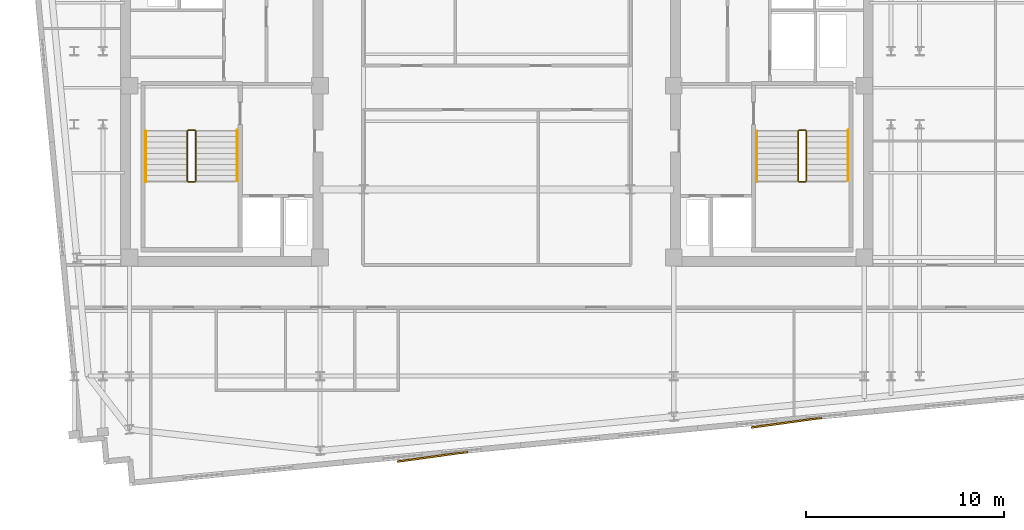
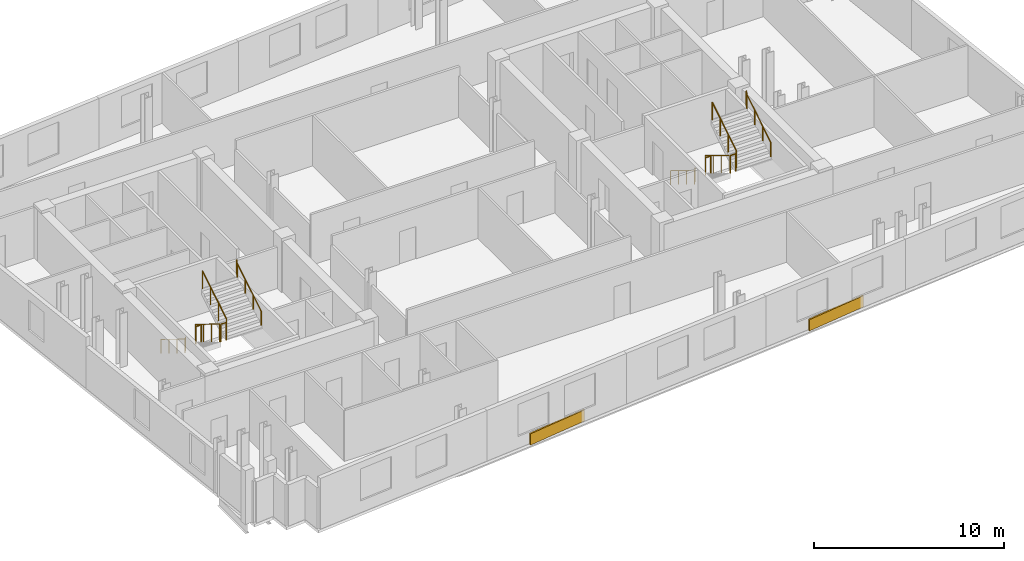
# One storey, part 7 of 8: 12 railings, 2 coverings.
"""IFC4 building model written with IfcOpenShell, lengths in metres."""

import ifcopenshell
import ifcopenshell.guid

model = None  # the IFC model being written
_history = None  # IfcOwnerHistory: only IFC2X3 demands one
_inside = {}  # id of a spatial element -> (the spatial element, [elements in it])
_under = {}  # id of a project, library or spatial element -> (it, [spatial elements below it])
_declared = {}  # id of a project -> (the project, [libraries it declares])
_typed = {}  # id of a type object -> (the type object, [elements of that type])
_made_of = {}  # id of a material, layer set ... -> (it, [elements and type objects made of it])


def new_model(schema):
    """Start an empty IFC model of exactly this schema.

    Asked for "IFC4X3", IfcOpenShell would pick the latest addendum, in which some entities
    have other attributes; the version numbers below select the first issue.
    IFC2X3 requires an IfcOwnerHistory on every rooted entity: one is made here for all.
    """
    global model, _history
    if schema == "IFC4X3":
        model = ifcopenshell.file(schema_version=(4, 3, 0, 0))
    else:
        model = ifcopenshell.file(schema=schema)
    _inside.clear()
    _under.clear()
    _declared.clear()
    _typed.clear()
    _made_of.clear()
    _history = None
    if model.schema == "IFC2X3":
        org = make("IfcOrganization", Name="unknown")
        user = make(
            "IfcPersonAndOrganization",
            ThePerson=make("IfcPerson", FamilyName="unknown"),
            TheOrganization=org,
        )
        app = make(
            "IfcApplication",
            ApplicationDeveloper=org,
            Version="unknown",
            ApplicationFullName="unknown",
            ApplicationIdentifier="unknown",
        )
        _history = make(
            "IfcOwnerHistory",
            OwningUser=user,
            OwningApplication=app,
            ChangeAction="ADDED",
            CreationDate=0,
        )
    return model


def make(cls, **values):
    """One entity of the class cls with the attributes given. An attribute that is None is left unset."""
    return model.create_entity(
        cls, **{name: value for name, value in values.items() if value is not None}
    )


def rooted(cls, **values):
    """An entity with a GlobalId (a new one), such as an element, a storey or a relation."""
    return make(cls, GlobalId=ifcopenshell.guid.new(), OwnerHistory=_history, **values)


def si_unit(unit_type, name, prefix=None):
    """IfcSIUnit, for example si_unit("LENGTHUNIT", "METRE", prefix="MILLI")."""
    return make("IfcSIUnit", UnitType=unit_type, Prefix=prefix, Name=name)


def assignment(units):
    """IfcUnitAssignment: the units of a project."""
    return None if units is None else make("IfcUnitAssignment", Units=units)


def point(xyz):
    """IfcCartesianPoint."""
    return None if xyz is None else make("IfcCartesianPoint", Coordinates=xyz)


def direction(xyz):
    """IfcDirection."""
    return None if xyz is None else make("IfcDirection", DirectionRatios=xyz)


def frame(location, z_axis=None, x_axis=None):
    """IfcAxis2Placement3D, a coordinate frame: its origin and axes. An axis left out is left unset."""
    return make(
        "IfcAxis2Placement3D",
        Location=point(location),
        Axis=direction(z_axis),
        RefDirection=direction(x_axis),
    )


def frame_2d(location, x_axis=None):
    """IfcAxis2Placement2D, a coordinate frame in the plane: its origin and x axis."""
    return make(
        "IfcAxis2Placement2D", Location=point(location), RefDirection=direction(x_axis)
    )


def origin():
    """The frame at (0, 0, 0) with its axes left unset."""
    return frame((0.0, 0.0, 0.0))


def origin_2d():
    """The frame at (0, 0) in the plane with its x axis left unset."""
    return frame_2d((0.0, 0.0))


def place(relative_to, where):
    """IfcLocalPlacement: puts the frame where relative to a parent placement (None: the world)."""
    return make(
        "IfcLocalPlacement", PlacementRelTo=relative_to, RelativePlacement=where
    )


def context(
    kind, dimensions, precision=None, world=None, true_north=None, identifier=None
):
    """IfcGeometricRepresentationContext, for example the 3D "Model" context."""
    return make(
        "IfcGeometricRepresentationContext",
        ContextIdentifier=identifier,
        ContextType=kind,
        CoordinateSpaceDimension=dimensions,
        Precision=precision,
        WorldCoordinateSystem=world,
        TrueNorth=true_north,
    )


def subcontext(parent, identifier, kind, view, scale=None):
    """IfcGeometricRepresentationSubContext, for example "Body" below "Model"."""
    return make(
        "IfcGeometricRepresentationSubContext",
        ContextIdentifier=identifier,
        ContextType=kind,
        ParentContext=parent,
        TargetScale=scale,
        TargetView=view,
    )


def project(units=None, contexts=None):
    """IfcProject with its units and contexts."""
    return rooted(
        "IfcProject",
        Name="project",
        RepresentationContexts=contexts,
        UnitsInContext=assignment(units),
    )


def spatial(cls, under=None, at=None, **own):
    """A site, building, storey or space (cls), placed at a placement, below another one or the project."""
    s = rooted(cls, ObjectPlacement=at, **own)
    if under is not None:
        _under.setdefault(under.id(), (under, []))[1].append(s)
    return s


def profile(cls, at=None, kind="AREA", **sizes):
    """A parametric profile (cls). Its sizes go by their IFC names, for example OverallWidth=200.0."""
    return make(cls, ProfileType=kind, Position=at, **sizes)


def rectangle(**sizes):
    """IfcRectangleProfileDef."""
    return profile("IfcRectangleProfileDef", **sizes)


def circle(**sizes):
    """IfcCircleProfileDef."""
    return profile("IfcCircleProfileDef", **sizes)


def extrude(swept, where, along, depth):
    """IfcExtrudedAreaSolid: the profile swept, set in the frame where, extruded along a direction by depth."""
    return make(
        "IfcExtrudedAreaSolid",
        SweptArea=swept,
        Position=where,
        ExtrudedDirection=direction(along),
        Depth=depth,
    )


def shape(context_of_items, identifier, shape_type, items):
    """IfcShapeRepresentation: the items that make up one representation, for example the "Body"."""
    return make(
        "IfcShapeRepresentation",
        ContextOfItems=context_of_items,
        RepresentationIdentifier=identifier,
        RepresentationType=shape_type,
        Items=items,
    )


def material(Name=None, Category=None):
    """IfcMaterial."""
    return make("IfcMaterial", Name=Name, Category=Category)


def layer(
    of_material, thickness, ventilated=None, Name=None, Category=None, Priority=None
):
    """IfcMaterialLayer: one layer of a wall or slab, of a material (None: an air gap)."""
    return make(
        "IfcMaterialLayer",
        Material=of_material,
        LayerThickness=thickness,
        IsVentilated=ventilated,
        Name=Name,
        Category=Category,
        Priority=Priority,
    )


def layer_set(layers, Name=None):
    """IfcMaterialLayerSet."""
    return make("IfcMaterialLayerSet", MaterialLayers=layers, LayerSetName=Name)


def made_of(thing, what):
    """Note that an element or type object is made of a material, layer set ...; save() writes the relation."""
    if what is not None:
        _made_of.setdefault(what.id(), (what, []))[1].append(thing)
    return thing


def type_object(cls, material=None, **own):
    """A type object (cls), such as IfcWallType, which elements share."""
    return made_of(rooted(cls, **own), material)


def element(
    cls,
    number,
    at=None,
    inside=None,
    cuts=None,
    type_object=None,
    material=None,
    context=None,
    identifier="Body",
    shape_type=None,
    held_by="IfcProductDefinitionShape",
    body=None,
    shapes=None,
    **own,
):
    """One element of the class cls, such as IfcWall. Its Tag is "e" and its number.

    at: its placement. inside: the storey or other place that contains it. cuts: it is an
    opening in that element (IfcRelVoidsElement). A single representation is given by context,
    identifier, shape_type and body (its items); several are given by shapes. held_by: the class
    of the entity that holds the representations. save() writes the other relations.
    """
    e = rooted(cls, Tag="e%d" % number, ObjectPlacement=at, **own)
    if body is not None:
        shapes = [shape(context, identifier, shape_type, body)]
    if shapes is not None:
        e.Representation = make(held_by, Representations=shapes)
    if inside is not None:
        _inside.setdefault(inside.id(), (inside, []))[1].append(e)
    if cuts is not None:
        rooted(
            "IfcRelVoidsElement", RelatingBuildingElement=cuts, RelatedOpeningElement=e
        )
    if type_object is not None:
        _typed.setdefault(type_object.id(), (type_object, []))[1].append(e)
    return made_of(e, material)


def aggregate(whole, parts):
    """IfcRelAggregates: a whole, such as a stair, and the parts it consists of."""
    return rooted("IfcRelAggregates", RelatingObject=whole, RelatedObjects=parts)


def save(model, path):
    """Write the relations noted so far, then the file.

    IfcRelAggregates (storeys below a building ...), IfcRelContainedInSpatialStructure (elements
    in a storey), IfcRelDefinesByType, IfcRelAssociatesMaterial and IfcRelDeclares: one each for
    every whole, place, type object, material and project.
    """
    for whole, parts in _under.values():
        aggregate(whole, parts)
    for where, things in _inside.values():
        rooted(
            "IfcRelContainedInSpatialStructure",
            RelatedElements=things,
            RelatingStructure=where,
        )
    for kind, things in _typed.values():
        rooted("IfcRelDefinesByType", RelatedObjects=things, RelatingType=kind)
    for what, things in _made_of.values():
        rooted("IfcRelAssociatesMaterial", RelatedObjects=things, RelatingMaterial=what)
    for by, libraries in _declared.values():
        rooted("IfcRelDeclares", RelatingContext=by, RelatedDefinitions=libraries)
    model.write(path)


model = new_model("IFC4")

# Units and contexts
model_context = context("Model", 3, precision=1e-05, world=origin(), true_north=direction((0.0, 1.0)))
body_context = subcontext(model_context, "Body", "Model", "MODEL_VIEW")
ifc_project = project(units=[si_unit("LENGTHUNIT", "METRE"), si_unit("AREAUNIT", "SQUARE_METRE"), si_unit("VOLUMEUNIT", "CUBIC_METRE"), si_unit("PLANEANGLEUNIT", "RADIAN"), si_unit("MASSUNIT", "GRAM", prefix="KILO")], contexts=[model_context])

# Site, building, storey
site_placement = place(None, origin())
site = spatial("IfcSite", under=ifc_project, at=site_placement, CompositionType="ELEMENT")
building_placement = place(site_placement, origin())
building = spatial("IfcBuilding", under=site, at=building_placement, Name="Velakula Bourse", CompositionType="ELEMENT")
storey_placement = place(building_placement, frame((0.0, 0.0, 255.14990234375)))
storey = spatial("IfcBuildingStorey", under=building, at=storey_placement, Name="L69", CompositionType="ELEMENT", Elevation=255.14990234375)

# Coverings
ifc_material_1 = material(Name="Buff kilned clay facing brick masonry", Category="masonry")
ifc_layer = layer(ifc_material_1, 0.074951171875, Name="Buff kilned clay facing brick masonry", Category="masonry")
ifc_layer_set = layer_set([ifc_layer], Name="Buff kilned clay facing brick masonry")
covering_type = type_object("IfcCoveringType", Name="COV-BRK-SPN-75", PredefinedType="CLADDING", material=ifc_layer_set)
for number, where, z_axis, x_axis, name in (
    (1, (-3.26220703125, -18.68115234375, 0.0), (0.0, 0.0, 1.0), (0.990629029058, 0.136580111242, 0.0), "L69 Folded Brick Facade Cladding Panel S-B2"),
    (2, (14.655029296875, -16.955810546875, 0.0), (0.0, 0.0, 1.0), (0.990629029058, 0.136580111242, 0.0), "L69 Folded Brick Facade Cladding Panel S-B4"),
):
    element("IfcCovering", number, at=place(storey_placement, frame(where, z_axis=z_axis, x_axis=x_axis)), inside=storey, type_object=covering_type, Name=name, PredefinedType="CLADDING", context=body_context, shape_type="SweptSolid", body=[
        extrude(rectangle(XDim=3.60009765625, YDim=0.090087890625, at=origin_2d()), origin(), (0.0, 0.0, 1.0), 0.719970703125),
    ])

# Railings
ifc_material_2 = material(Name="Brushed grade 316 stainless steel", Category="steel")
railing_type_1 = type_object("IfcRailingType", Name="RLG-STAIR-GUARD-1150", PredefinedType="BALUSTRADE", material=ifc_material_2)
railing_1_placement = place(storey_placement, frame((-15.672119140625, -2.199951171875, 0.172607421875)))
element("IfcRailing", 3, at=railing_1_placement, inside=storey, type_object=railing_type_1, Name="L69 ST-W1 stair guard 1", PredefinedType="BALUSTRADE", context=body_context, shape_type="SweptSolid", body=[
    extrude(circle(Radius=0.02490234375, at=origin_2d()), frame((0.0, 0.0, 1.125), z_axis=(0.0, -0.851400495292, 0.524516154772), x_axis=(1.0, 0.0, 0.0)), (0.0, 0.0, 1.0), 2.9599609375),
    extrude(circle(Radius=0.02099609375, at=origin_2d()), origin(), (0.0, 0.0, 1.0), 1.099853515625),
    extrude(circle(Radius=0.02099609375, at=origin_2d()), frame((0.0, -0.840087890625, 0.517578125)), (0.0, 0.0, 1.0), 1.099853515625),
    extrude(circle(Radius=0.02099609375, at=origin_2d()), frame((0.0, -1.679931640625, 1.034912109375)), (0.0, 0.0, 1.0), 1.099853515625),
    extrude(circle(Radius=0.02099609375, at=origin_2d()), frame((0.0, -2.52001953125, 1.552490234375)), (0.0, 0.0, 1.0), 1.099853515625),
])
railing_2_placement = place(storey_placement, frame((-15.6220703125, -4.77001953125, 1.72509765625)))
element("IfcRailing", 4, at=railing_2_placement, inside=storey, type_object=railing_type_1, Name="L69 ST-W1 stair guard 2", PredefinedType="BALUSTRADE", context=body_context, shape_type="SweptSolid", body=[
    extrude(circle(Radius=0.02490234375, at=origin_2d()), frame((0.0, 0.0, 1.125), z_axis=(1.0, 0.0, 0.0), x_axis=(0.0, 1.0, 0.0)), (0.0, 0.0, 1.0), 0.323974609375),
    extrude(circle(Radius=0.02099609375, at=origin_2d()), origin(), (0.0, 0.0, 1.0), 1.099853515625),
    extrude(circle(Radius=0.02099609375, at=origin_2d()), frame((0.323974609375, 0.0, 0.0)), (0.0, 0.0, 1.0), 1.099853515625),
])
railing_3_placement = place(storey_placement, frame((-15.248046875, -4.719970703125, 1.897705078125)))
element("IfcRailing", 5, at=railing_3_placement, inside=storey, type_object=railing_type_1, Name="L69 ST-W1 stair guard 3", PredefinedType="BALUSTRADE", context=body_context, shape_type="SweptSolid", body=[
    extrude(circle(Radius=0.02490234375, at=origin_2d()), frame((0.0, 0.0, 1.125), z_axis=(0.0, 0.851400495292, 0.524516154772), x_axis=(-1.0, 0.0, 0.0)), (0.0, 0.0, 1.0), 2.9599609375),
    extrude(circle(Radius=0.02099609375, at=origin_2d()), origin(), (0.0, 0.0, 1.0), 1.099853515625),
    extrude(circle(Radius=0.02099609375, at=origin_2d()), frame((0.0, 0.840087890625, 0.517578125)), (0.0, 0.0, 1.0), 1.099853515625),
    extrude(circle(Radius=0.02099609375, at=origin_2d()), frame((0.0, 1.679931640625, 1.034912109375)), (0.0, 0.0, 1.0), 1.099853515625),
    extrude(circle(Radius=0.02099609375, at=origin_2d()), frame((0.0, 2.52001953125, 1.552490234375)), (0.0, 0.0, 1.0), 1.099853515625),
])
railing_4_placement = place(storey_placement, frame((-15.6220703125, -2.14990234375, 0.0)))
element("IfcRailing", 6, at=railing_4_placement, inside=storey, type_object=railing_type_1, Name="L69 ST-W1 stair guard 4", PredefinedType="BALUSTRADE", context=body_context, shape_type="SweptSolid", body=[
    extrude(circle(Radius=0.02490234375, at=origin_2d()), frame((0.0, 0.0, 1.125), z_axis=(1.0, 0.0, 0.0), x_axis=(0.0, 1.0, 0.0)), (0.0, 0.0, 1.0), 0.323974609375),
    extrude(circle(Radius=0.02099609375, at=origin_2d()), origin(), (0.0, 0.0, 1.0), 1.099853515625),
    extrude(circle(Radius=0.02099609375, at=origin_2d()), frame((0.323974609375, 0.0, 0.0)), (0.0, 0.0, 1.0), 1.099853515625),
])
railing_5_placement = place(storey_placement, frame((15.248046875, -2.199951171875, 0.172607421875)))
element("IfcRailing", 7, at=railing_5_placement, inside=storey, type_object=railing_type_1, Name="L69 ST-E1 stair guard 1", PredefinedType="BALUSTRADE", context=body_context, shape_type="SweptSolid", body=[
    extrude(circle(Radius=0.02490234375, at=origin_2d()), frame((0.0, 0.0, 1.125), z_axis=(0.0, -0.851400495292, 0.524516154772), x_axis=(1.0, 0.0, 0.0)), (0.0, 0.0, 1.0), 2.9599609375),
    extrude(circle(Radius=0.02099609375, at=origin_2d()), origin(), (0.0, 0.0, 1.0), 1.099853515625),
    extrude(circle(Radius=0.02099609375, at=origin_2d()), frame((0.0, -0.840087890625, 0.517578125)), (0.0, 0.0, 1.0), 1.099853515625),
    extrude(circle(Radius=0.02099609375, at=origin_2d()), frame((0.0, -1.679931640625, 1.034912109375)), (0.0, 0.0, 1.0), 1.099853515625),
    extrude(circle(Radius=0.02099609375, at=origin_2d()), frame((0.0, -2.52001953125, 1.552490234375)), (0.0, 0.0, 1.0), 1.099853515625),
])
railing_6_placement = place(storey_placement, frame((15.298095703125, -4.77001953125, 1.72509765625)))
element("IfcRailing", 8, at=railing_6_placement, inside=storey, type_object=railing_type_1, Name="L69 ST-E1 stair guard 2", PredefinedType="BALUSTRADE", context=body_context, shape_type="SweptSolid", body=[
    extrude(circle(Radius=0.02490234375, at=origin_2d()), frame((0.0, 0.0, 1.125), z_axis=(1.0, 0.0, 0.0), x_axis=(0.0, 1.0, 0.0)), (0.0, 0.0, 1.0), 0.323974609375),
    extrude(circle(Radius=0.02099609375, at=origin_2d()), origin(), (0.0, 0.0, 1.0), 1.099853515625),
    extrude(circle(Radius=0.02099609375, at=origin_2d()), frame((0.323974609375, 0.0, 0.0)), (0.0, 0.0, 1.0), 1.099853515625),
])
railing_7_placement = place(storey_placement, frame((15.672119140625, -4.719970703125, 1.897705078125)))
element("IfcRailing", 9, at=railing_7_placement, inside=storey, type_object=railing_type_1, Name="L69 ST-E1 stair guard 3", PredefinedType="BALUSTRADE", context=body_context, shape_type="SweptSolid", body=[
    extrude(circle(Radius=0.02490234375, at=origin_2d()), frame((0.0, 0.0, 1.125), z_axis=(0.0, 0.851400495292, 0.524516154772), x_axis=(-1.0, 0.0, 0.0)), (0.0, 0.0, 1.0), 2.9599609375),
    extrude(circle(Radius=0.02099609375, at=origin_2d()), origin(), (0.0, 0.0, 1.0), 1.099853515625),
    extrude(circle(Radius=0.02099609375, at=origin_2d()), frame((0.0, 0.840087890625, 0.517578125)), (0.0, 0.0, 1.0), 1.099853515625),
    extrude(circle(Radius=0.02099609375, at=origin_2d()), frame((0.0, 1.679931640625, 1.034912109375)), (0.0, 0.0, 1.0), 1.099853515625),
    extrude(circle(Radius=0.02099609375, at=origin_2d()), frame((0.0, 2.52001953125, 1.552490234375)), (0.0, 0.0, 1.0), 1.099853515625),
])
railing_8_placement = place(storey_placement, frame((15.298095703125, -2.14990234375, 0.0)))
element("IfcRailing", 10, at=railing_8_placement, inside=storey, type_object=railing_type_1, Name="L69 ST-E1 stair guard 4", PredefinedType="BALUSTRADE", context=body_context, shape_type="SweptSolid", body=[
    extrude(circle(Radius=0.02490234375, at=origin_2d()), frame((0.0, 0.0, 1.125), z_axis=(1.0, 0.0, 0.0), x_axis=(0.0, 1.0, 0.0)), (0.0, 0.0, 1.0), 0.323974609375),
    extrude(circle(Radius=0.02099609375, at=origin_2d()), origin(), (0.0, 0.0, 1.0), 1.099853515625),
    extrude(circle(Radius=0.02099609375, at=origin_2d()), frame((0.323974609375, 0.0, 0.0)), (0.0, 0.0, 1.0), 1.099853515625),
])
railing_type_2 = type_object("IfcRailingType", Name="RLG-STAIR-HAND-920", PredefinedType="HANDRAIL", material=ifc_material_2)
railing_9_placement = place(storey_placement, frame((-17.77001953125, -2.199951171875, 0.172607421875)))
element("IfcRailing", 11, at=railing_9_placement, inside=storey, type_object=railing_type_2, Name="L69 ST-W1 stair handrail 1", PredefinedType="HANDRAIL", context=body_context, shape_type="SweptSolid", body=[
    extrude(circle(Radius=0.02099609375, at=origin_2d()), frame((0.0, 0.0, 0.89892578125), z_axis=(0.0, -0.851400495292, 0.524516154772), x_axis=(1.0, 0.0, 0.0)), (0.0, 0.0, 1.0), 2.9599609375),
    extrude(circle(Radius=0.02099609375, at=origin_2d()), frame((0.0, -2.52001953125, 2.451416015625), z_axis=(0.0, -0.22596628056, 0.974135124123), x_axis=(1.0, 0.0, 0.0)), (0.0, 0.0, 1.0), 0.17724609375),
    extrude(circle(Radius=0.02099609375, at=origin_2d()), frame((0.0, -2.56005859375, 2.6240234375), z_axis=(0.0, -1.0, 0.0), x_axis=(1.0, 0.0, 0.0)), (0.0, 0.0, 1.0), 0.0048828125),
    extrude(circle(Radius=0.02099609375, at=origin_2d()), origin(), (0.0, 0.0, 1.0), 0.8779296875),
    extrude(circle(Radius=0.02099609375, at=origin_2d()), frame((0.0, -0.840087890625, 0.517578125)), (0.0, 0.0, 1.0), 0.8779296875),
    extrude(circle(Radius=0.02099609375, at=origin_2d()), frame((0.0, -1.679931640625, 1.034912109375)), (0.0, 0.0, 1.0), 0.8779296875),
    extrude(circle(Radius=0.02099609375, at=origin_2d()), frame((0.0, -2.52001953125, 1.552490234375)), (0.0, 0.0, 1.0), 0.8779296875),
    extrude(circle(Radius=0.02099609375, at=origin_2d()), frame((0.0, -2.56005859375, 1.72509765625)), (0.0, 0.0, 1.0), 0.8779296875),
    extrude(circle(Radius=0.02099609375, at=origin_2d()), frame((0.0, -2.56494140625, 1.72509765625)), (0.0, 0.0, 1.0), 0.8779296875),
])
railing_10_placement = place(storey_placement, frame((-13.14990234375, -4.719970703125, 1.897705078125)))
element("IfcRailing", 12, at=railing_10_placement, inside=storey, type_object=railing_type_2, Name="L69 ST-W1 stair handrail 2", PredefinedType="HANDRAIL", context=body_context, shape_type="SweptSolid", body=[
    extrude(circle(Radius=0.02099609375, at=origin_2d()), frame((0.0, 0.0, 0.89892578125), z_axis=(0.0, 0.851400495292, 0.524516154772), x_axis=(-1.0, 0.0, 0.0)), (0.0, 0.0, 1.0), 2.9599609375),
    extrude(circle(Radius=0.02099609375, at=origin_2d()), frame((0.0, 2.52001953125, 2.451416015625), z_axis=(0.0, 0.226269970362, 0.974064628509), x_axis=(-1.0, 0.0, 0.0)), (0.0, 0.0, 1.0), 0.177001953125),
    extrude(circle(Radius=0.02099609375, at=origin_2d()), frame((0.0, 2.56005859375, 2.623779296875), z_axis=(0.0, 1.0, 0.0), x_axis=(-1.0, 0.0, 0.0)), (0.0, 0.0, 1.0), 0.0048828125),
    extrude(circle(Radius=0.02099609375, at=origin_2d()), origin(), (0.0, 0.0, 1.0), 0.8779296875),
    extrude(circle(Radius=0.02099609375, at=origin_2d()), frame((0.0, 0.840087890625, 0.517578125)), (0.0, 0.0, 1.0), 0.8779296875),
    extrude(circle(Radius=0.02099609375, at=origin_2d()), frame((0.0, 1.679931640625, 1.034912109375)), (0.0, 0.0, 1.0), 0.8779296875),
    extrude(circle(Radius=0.02099609375, at=origin_2d()), frame((0.0, 2.52001953125, 1.552490234375)), (0.0, 0.0, 1.0), 0.8779296875),
    extrude(circle(Radius=0.02099609375, at=origin_2d()), frame((0.0, 2.56005859375, 1.724853515625)), (0.0, 0.0, 1.0), 0.8779296875),
    extrude(circle(Radius=0.02099609375, at=origin_2d()), frame((0.0, 2.56494140625, 1.724853515625)), (0.0, 0.0, 1.0), 0.8779296875),
])
railing_11_placement = place(storey_placement, frame((13.14990234375, -2.199951171875, 0.172607421875)))
element("IfcRailing", 13, at=railing_11_placement, inside=storey, type_object=railing_type_2, Name="L69 ST-E1 stair handrail 1", PredefinedType="HANDRAIL", context=body_context, shape_type="SweptSolid", body=[
    extrude(circle(Radius=0.02099609375, at=origin_2d()), frame((0.0, 0.0, 0.89892578125), z_axis=(0.0, -0.851400495292, 0.524516154772), x_axis=(1.0, 0.0, 0.0)), (0.0, 0.0, 1.0), 2.9599609375),
    extrude(circle(Radius=0.02099609375, at=origin_2d()), frame((0.0, -2.52001953125, 2.451416015625), z_axis=(0.0, -0.22596628056, 0.974135124123), x_axis=(1.0, 0.0, 0.0)), (0.0, 0.0, 1.0), 0.17724609375),
    extrude(circle(Radius=0.02099609375, at=origin_2d()), frame((0.0, -2.56005859375, 2.6240234375), z_axis=(0.0, -1.0, 0.0), x_axis=(1.0, 0.0, 0.0)), (0.0, 0.0, 1.0), 0.0048828125),
    extrude(circle(Radius=0.02099609375, at=origin_2d()), origin(), (0.0, 0.0, 1.0), 0.8779296875),
    extrude(circle(Radius=0.02099609375, at=origin_2d()), frame((0.0, -0.840087890625, 0.517578125)), (0.0, 0.0, 1.0), 0.8779296875),
    extrude(circle(Radius=0.02099609375, at=origin_2d()), frame((0.0, -1.679931640625, 1.034912109375)), (0.0, 0.0, 1.0), 0.8779296875),
    extrude(circle(Radius=0.02099609375, at=origin_2d()), frame((0.0, -2.52001953125, 1.552490234375)), (0.0, 0.0, 1.0), 0.8779296875),
    extrude(circle(Radius=0.02099609375, at=origin_2d()), frame((0.0, -2.56005859375, 1.72509765625)), (0.0, 0.0, 1.0), 0.8779296875),
    extrude(circle(Radius=0.02099609375, at=origin_2d()), frame((0.0, -2.56494140625, 1.72509765625)), (0.0, 0.0, 1.0), 0.8779296875),
])
railing_12_placement = place(storey_placement, frame((17.77001953125, -4.719970703125, 1.897705078125)))
element("IfcRailing", 14, at=railing_12_placement, inside=storey, type_object=railing_type_2, Name="L69 ST-E1 stair handrail 2", PredefinedType="HANDRAIL", context=body_context, shape_type="SweptSolid", body=[
    extrude(circle(Radius=0.02099609375, at=origin_2d()), frame((0.0, 0.0, 0.89892578125), z_axis=(0.0, 0.851400495292, 0.524516154772), x_axis=(-1.0, 0.0, 0.0)), (0.0, 0.0, 1.0), 2.9599609375),
    extrude(circle(Radius=0.02099609375, at=origin_2d()), frame((0.0, 2.52001953125, 2.451416015625), z_axis=(0.0, 0.226269970362, 0.974064628509), x_axis=(-1.0, 0.0, 0.0)), (0.0, 0.0, 1.0), 0.177001953125),
    extrude(circle(Radius=0.02099609375, at=origin_2d()), frame((0.0, 2.56005859375, 2.623779296875), z_axis=(0.0, 1.0, 0.0), x_axis=(-1.0, 0.0, 0.0)), (0.0, 0.0, 1.0), 0.0048828125),
    extrude(circle(Radius=0.02099609375, at=origin_2d()), origin(), (0.0, 0.0, 1.0), 0.8779296875),
    extrude(circle(Radius=0.02099609375, at=origin_2d()), frame((0.0, 0.840087890625, 0.517578125)), (0.0, 0.0, 1.0), 0.8779296875),
    extrude(circle(Radius=0.02099609375, at=origin_2d()), frame((0.0, 1.679931640625, 1.034912109375)), (0.0, 0.0, 1.0), 0.8779296875),
    extrude(circle(Radius=0.02099609375, at=origin_2d()), frame((0.0, 2.52001953125, 1.552490234375)), (0.0, 0.0, 1.0), 0.8779296875),
    extrude(circle(Radius=0.02099609375, at=origin_2d()), frame((0.0, 2.56005859375, 1.724853515625)), (0.0, 0.0, 1.0), 0.8779296875),
    extrude(circle(Radius=0.02099609375, at=origin_2d()), frame((0.0, 2.56494140625, 1.724853515625)), (0.0, 0.0, 1.0), 0.8779296875),
])

save(model, "model.ifc")
